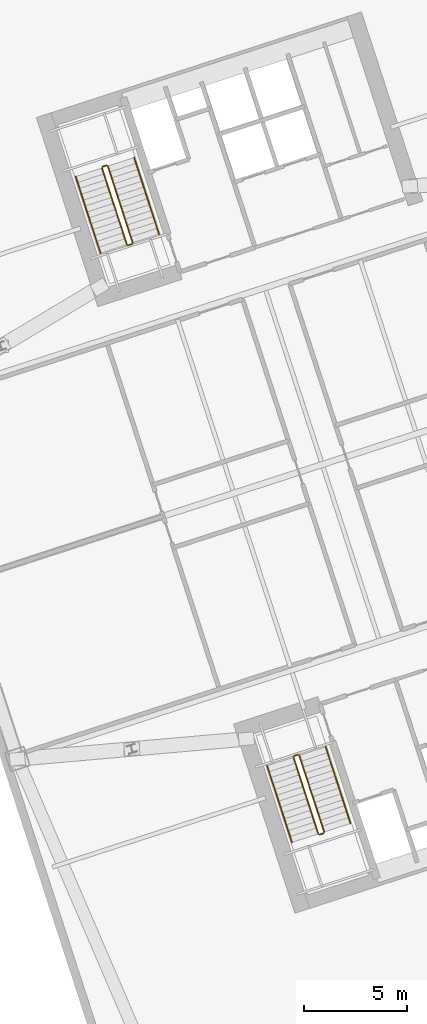
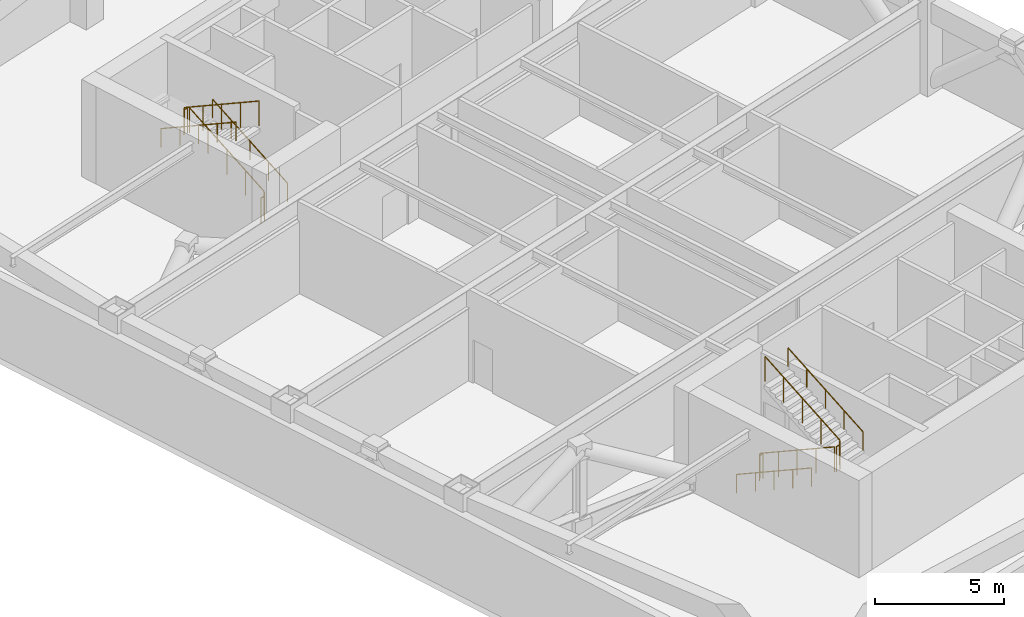
# One storey, part 16 of 16: 12 railings.
"""IFC4 building model written with IfcOpenShell, lengths in metres."""

from ifc_helpers import new_model, si_unit, direction, frame, origin, origin_2d, place, context, subcontext, project, spatial, circle, extrude, material, type_object, element, save


model = new_model("IFC4")

# Units and contexts
model_context = context("Model", 3, precision=1e-05, world=origin(), true_north=direction((0.0, 1.0)))
body_context = subcontext(model_context, "Body", "Model", "MODEL_VIEW")
ifc_project = project(units=[si_unit("LENGTHUNIT", "METRE"), si_unit("AREAUNIT", "SQUARE_METRE"), si_unit("VOLUMEUNIT", "CUBIC_METRE"), si_unit("PLANEANGLEUNIT", "RADIAN"), si_unit("MASSUNIT", "GRAM", prefix="KILO")], contexts=[model_context])

# Site, building, storey
site_placement = place(None, origin())
site = spatial("IfcSite", under=ifc_project, at=site_placement, CompositionType="ELEMENT")
building_placement = place(site_placement, origin())
building = spatial("IfcBuilding", under=site, at=building_placement, Name="Qiaolan Cultural Towers", CompositionType="ELEMENT")
storey_placement = place(building_placement, frame((0.0, 0.0, 46.0)))
storey = spatial("IfcBuildingStorey", under=building, at=storey_placement, Name="L10", CompositionType="ELEMENT", Elevation=46.0)

# Railings
ifc_material_1 = material(Name="Galvanized Painted Steel Stair Guardrail", Category="steel")
railing_type_1 = type_object("IfcRailingType", Name="RL-STAIR-GRD", PredefinedType="GUARDRAIL", material=ifc_material_1)
railing_1_placement = place(storey_placement, frame((88.60205078125, 19.82421875, 0.164306640625)))
element("IfcRailing", 1, at=railing_1_placement, inside=storey, type_object=railing_type_1, Name="L10 ST-E1 stair guard 1", PredefinedType="GUARDRAIL", context=body_context, shape_type="SweptSolid", body=[
    extrude(circle(Radius=0.02392578125, at=origin_2d()), frame((0.0, 0.0, 1.17578125), z_axis=(0.271063841875, -0.834165069801, 0.480305142541), x_axis=(0.951047408346, 0.309045024354, 0.0)), (0.0, 0.0, 1.0), 4.446533203125),
    extrude(circle(Radius=0.02099609375, at=origin_2d()), origin(), (0.0, 0.0, 1.0), 1.15185546875),
    extrude(circle(Radius=0.02099609375, at=origin_2d()), frame((0.30126953125, -0.92724609375, 0.533935546875)), (0.0, 0.0, 1.0), 1.15185546875),
    extrude(circle(Radius=0.02099609375, at=origin_2d()), frame((0.6025390625, -1.8544921875, 1.06787109375)), (0.0, 0.0, 1.0), 1.15185546875),
    extrude(circle(Radius=0.02099609375, at=origin_2d()), frame((0.904052734375, -2.781982421875, 1.601806640625)), (0.0, 0.0, 1.0), 1.15185546875),
    extrude(circle(Radius=0.02099609375, at=origin_2d()), frame((1.205322265625, -3.709228515625, 2.1357421875)), (0.0, 0.0, 1.0), 1.15185546875),
])
railing_2_placement = place(storey_placement, frame((89.870361328125, 16.0830078125, 2.300048828125)))
element("IfcRailing", 2, at=railing_2_placement, inside=storey, type_object=railing_type_1, Name="L10 ST-E1 stair guard 2", PredefinedType="GUARDRAIL", context=body_context, shape_type="SweptSolid", body=[
    extrude(circle(Radius=0.02392578125, at=origin_2d()), frame((0.0, 0.0, 1.17578125), z_axis=(0.951096855055, 0.308892816854, 0.0), x_axis=(-0.308892816854, 0.951096855055, 0.0)), (0.0, 0.0, 1.0), 0.199951171875),
    extrude(circle(Radius=0.02099609375, at=origin_2d()), origin(), (0.0, 0.0, 1.0), 1.15185546875),
    extrude(circle(Radius=0.02099609375, at=origin_2d()), frame((0.190185546875, 0.061767578125, 0.0)), (0.0, 0.0, 1.0), 1.15185546875),
])
railing_3_placement = place(storey_placement, frame((90.092529296875, 16.207763671875, 2.46435546875)))
element("IfcRailing", 3, at=railing_3_placement, inside=storey, type_object=railing_type_1, Name="L10 ST-E1 stair guard 3", PredefinedType="GUARDRAIL", context=body_context, shape_type="SweptSolid", body=[
    extrude(circle(Radius=0.02392578125, at=origin_2d()), frame((0.0, 0.0, 1.17578125), z_axis=(-0.27101297032, 0.834177483402, 0.480312290186), x_axis=(-0.951065805522, -0.308988403611, 0.0)), (0.0, 0.0, 1.0), 4.446533203125),
    extrude(circle(Radius=0.02099609375, at=origin_2d()), origin(), (0.0, 0.0, 1.0), 1.15185546875),
    extrude(circle(Radius=0.02099609375, at=origin_2d()), frame((-0.30126953125, 0.92724609375, 0.533935546875)), (0.0, 0.0, 1.0), 1.15185546875),
    extrude(circle(Radius=0.02099609375, at=origin_2d()), frame((-0.6025390625, 1.8544921875, 1.06787109375)), (0.0, 0.0, 1.0), 1.15185546875),
    extrude(circle(Radius=0.02099609375, at=origin_2d()), frame((-0.90380859375, 2.781982421875, 1.601806640625)), (0.0, 0.0, 1.0), 1.15185546875),
    extrude(circle(Radius=0.02099609375, at=origin_2d()), frame((-1.205078125, 3.709228515625, 2.1357421875)), (0.0, 0.0, 1.0), 1.15185546875),
])
railing_4_placement = place(storey_placement, frame((88.63427734375, 19.88720703125, 0.0)))
element("IfcRailing", 4, at=railing_4_placement, inside=storey, type_object=railing_type_1, Name="L10 ST-E1 stair guard 4", PredefinedType="GUARDRAIL", context=body_context, shape_type="SweptSolid", body=[
    extrude(circle(Radius=0.02392578125, at=origin_2d()), frame((0.0, 0.0, 1.17578125), z_axis=(0.951096855055, 0.308892816854, 0.0), x_axis=(-0.308892816854, 0.951096855055, 0.0)), (0.0, 0.0, 1.0), 0.199951171875),
    extrude(circle(Radius=0.02099609375, at=origin_2d()), origin(), (0.0, 0.0, 1.0), 1.15185546875),
    extrude(circle(Radius=0.02099609375, at=origin_2d()), frame((0.190185546875, 0.061767578125, 0.0)), (0.0, 0.0, 1.0), 1.15185546875),
])
railing_5_placement = place(storey_placement, frame((80.822021484375, 44.739501953125, 0.164306640625)))
element("IfcRailing", 5, at=railing_5_placement, inside=storey, type_object=railing_type_1, Name="L10 ST-E2 stair guard 1", PredefinedType="GUARDRAIL", context=body_context, shape_type="SweptSolid", body=[
    extrude(circle(Radius=0.02392578125, at=origin_2d()), frame((0.0, 0.0, 1.17578125), z_axis=(-0.27101297032, 0.834177483402, 0.480312290186), x_axis=(-0.951065805522, -0.308988403611, 0.0)), (0.0, 0.0, 1.0), 4.446533203125),
    extrude(circle(Radius=0.02099609375, at=origin_2d()), origin(), (0.0, 0.0, 1.0), 1.15185546875),
    extrude(circle(Radius=0.02099609375, at=origin_2d()), frame((-0.30126953125, 0.92724609375, 0.533935546875)), (0.0, 0.0, 1.0), 1.15185546875),
    extrude(circle(Radius=0.02099609375, at=origin_2d()), frame((-0.6025390625, 1.8544921875, 1.06787109375)), (0.0, 0.0, 1.0), 1.15185546875),
    extrude(circle(Radius=0.02099609375, at=origin_2d()), frame((-0.90380859375, 2.781982421875, 1.601806640625)), (0.0, 0.0, 1.0), 1.15185546875),
    extrude(circle(Radius=0.02099609375, at=origin_2d()), frame((-1.205078125, 3.709228515625, 2.1357421875)), (0.0, 0.0, 1.0), 1.15185546875),
])
railing_6_placement = place(storey_placement, frame((79.553955078125, 48.480712890625, 2.300048828125)))
element("IfcRailing", 6, at=railing_6_placement, inside=storey, type_object=railing_type_1, Name="L10 ST-E2 stair guard 2", PredefinedType="GUARDRAIL", context=body_context, shape_type="SweptSolid", body=[
    extrude(circle(Radius=0.02392578125, at=origin_2d()), frame((0.0, 0.0, 1.17578125), z_axis=(-0.951096855055, -0.308892816854, 0.0), x_axis=(0.308892816854, -0.951096855055, 0.0)), (0.0, 0.0, 1.0), 0.199951171875),
    extrude(circle(Radius=0.02099609375, at=origin_2d()), origin(), (0.0, 0.0, 1.0), 1.15185546875),
    extrude(circle(Radius=0.02099609375, at=origin_2d()), frame((-0.190185546875, -0.061767578125, 0.0)), (0.0, 0.0, 1.0), 1.15185546875),
])
railing_7_placement = place(storey_placement, frame((79.33154296875, 48.35595703125, 2.46435546875)))
element("IfcRailing", 7, at=railing_7_placement, inside=storey, type_object=railing_type_1, Name="L10 ST-E2 stair guard 3", PredefinedType="GUARDRAIL", context=body_context, shape_type="SweptSolid", body=[
    extrude(circle(Radius=0.02392578125, at=origin_2d()), frame((0.0, 0.0, 1.17578125), z_axis=(0.271063841875, -0.834165069801, 0.480305142541), x_axis=(0.951047408346, 0.309045024354, 0.0)), (0.0, 0.0, 1.0), 4.446533203125),
    extrude(circle(Radius=0.02099609375, at=origin_2d()), origin(), (0.0, 0.0, 1.0), 1.15185546875),
    extrude(circle(Radius=0.02099609375, at=origin_2d()), frame((0.30126953125, -0.92724609375, 0.533935546875)), (0.0, 0.0, 1.0), 1.15185546875),
    extrude(circle(Radius=0.02099609375, at=origin_2d()), frame((0.6025390625, -1.8544921875, 1.06787109375)), (0.0, 0.0, 1.0), 1.15185546875),
    extrude(circle(Radius=0.02099609375, at=origin_2d()), frame((0.904052734375, -2.781982421875, 1.601806640625)), (0.0, 0.0, 1.0), 1.15185546875),
    extrude(circle(Radius=0.02099609375, at=origin_2d()), frame((1.205322265625, -3.709228515625, 2.1357421875)), (0.0, 0.0, 1.0), 1.15185546875),
])
railing_8_placement = place(storey_placement, frame((80.7900390625, 44.676513671875, 0.0)))
element("IfcRailing", 8, at=railing_8_placement, inside=storey, type_object=railing_type_1, Name="L10 ST-E2 stair guard 4", PredefinedType="GUARDRAIL", context=body_context, shape_type="SweptSolid", body=[
    extrude(circle(Radius=0.02392578125, at=origin_2d()), frame((0.0, 0.0, 1.17578125), z_axis=(-0.951096855055, -0.308892816854, 0.0), x_axis=(0.308892816854, -0.951096855055, 0.0)), (0.0, 0.0, 1.0), 0.199951171875),
    extrude(circle(Radius=0.02099609375, at=origin_2d()), origin(), (0.0, 0.0, 1.0), 1.15185546875),
    extrude(circle(Radius=0.02099609375, at=origin_2d()), frame((-0.190185546875, -0.061767578125, 0.0)), (0.0, 0.0, 1.0), 1.15185546875),
])
ifc_material_2 = material(Name="Stainless Steel S30408 Tubular Handrail", Category="steel")
railing_type_2 = type_object("IfcRailingType", Name="RL-STAIR-HR", PredefinedType="HANDRAIL", material=ifc_material_2)
railing_9_placement = place(storey_placement, frame((87.32763671875, 19.41015625, 0.164306640625)))
element("IfcRailing", 9, at=railing_9_placement, inside=storey, type_object=railing_type_2, Name="L10 ST-E1 stair handrail 1", PredefinedType="HANDRAIL", context=body_context, shape_type="SweptSolid", body=[
    extrude(circle(Radius=0.02392578125, at=origin_2d()), frame((0.0, 0.0, 0.8759765625), z_axis=(0.271063841875, -0.834165069801, 0.480305142541), x_axis=(0.951047408346, 0.309045024354, 0.0)), (0.0, 0.0, 1.0), 4.446533203125),
    extrude(circle(Radius=0.02099609375, at=origin_2d()), origin(), (0.0, 0.0, 1.0), 0.851806640625),
    extrude(circle(Radius=0.02099609375, at=origin_2d()), frame((0.30126953125, -0.92724609375, 0.533935546875)), (0.0, 0.0, 1.0), 0.851806640625),
    extrude(circle(Radius=0.02099609375, at=origin_2d()), frame((0.6025390625, -1.8544921875, 1.06787109375)), (0.0, 0.0, 1.0), 0.851806640625),
    extrude(circle(Radius=0.02099609375, at=origin_2d()), frame((0.904052734375, -2.781982421875, 1.601806640625)), (0.0, 0.0, 1.0), 0.851806640625),
    extrude(circle(Radius=0.02099609375, at=origin_2d()), frame((1.205322265625, -3.709228515625, 2.1357421875)), (0.0, 0.0, 1.0), 0.851806640625),
])
for number, where, name in (
    (10, (91.366943359375, 16.621826171875, 2.46435546875), "L10 ST-E1 stair handrail 2"),
    (11, (82.096435546875, 45.153564453125, 0.164306640625), "L10 ST-E2 stair handrail 1"),
):
    element("IfcRailing", number, at=place(storey_placement, frame(where)), inside=storey, type_object=railing_type_2, Name=name, PredefinedType="HANDRAIL", context=body_context, shape_type="SweptSolid", body=[
        extrude(circle(Radius=0.02392578125, at=origin_2d()), frame((0.0, 0.0, 0.8759765625), z_axis=(-0.27101297032, 0.834177483402, 0.480312290186), x_axis=(-0.951065805522, -0.308988403611, 0.0)), (0.0, 0.0, 1.0), 4.446533203125),
        extrude(circle(Radius=0.02099609375, at=origin_2d()), origin(), (0.0, 0.0, 1.0), 0.851806640625),
        extrude(circle(Radius=0.02099609375, at=origin_2d()), frame((-0.30126953125, 0.92724609375, 0.533935546875)), (0.0, 0.0, 1.0), 0.851806640625),
        extrude(circle(Radius=0.02099609375, at=origin_2d()), frame((-0.6025390625, 1.8544921875, 1.06787109375)), (0.0, 0.0, 1.0), 0.851806640625),
        extrude(circle(Radius=0.02099609375, at=origin_2d()), frame((-0.90380859375, 2.781982421875, 1.601806640625)), (0.0, 0.0, 1.0), 0.851806640625),
        extrude(circle(Radius=0.02099609375, at=origin_2d()), frame((-1.205078125, 3.709228515625, 2.1357421875)), (0.0, 0.0, 1.0), 0.851806640625),
    ])
railing_10_placement = place(storey_placement, frame((78.05712890625, 47.94189453125, 2.46435546875)))
element("IfcRailing", 12, at=railing_10_placement, inside=storey, type_object=railing_type_2, Name="L10 ST-E2 stair handrail 2", PredefinedType="HANDRAIL", context=body_context, shape_type="SweptSolid", body=[
    extrude(circle(Radius=0.02392578125, at=origin_2d()), frame((0.0, 0.0, 0.8759765625), z_axis=(0.271063841875, -0.834165069801, 0.480305142541), x_axis=(0.951047408346, 0.309045024354, 0.0)), (0.0, 0.0, 1.0), 4.446533203125),
    extrude(circle(Radius=0.02099609375, at=origin_2d()), origin(), (0.0, 0.0, 1.0), 0.851806640625),
    extrude(circle(Radius=0.02099609375, at=origin_2d()), frame((0.30126953125, -0.92724609375, 0.533935546875)), (0.0, 0.0, 1.0), 0.851806640625),
    extrude(circle(Radius=0.02099609375, at=origin_2d()), frame((0.6025390625, -1.8544921875, 1.06787109375)), (0.0, 0.0, 1.0), 0.851806640625),
    extrude(circle(Radius=0.02099609375, at=origin_2d()), frame((0.904052734375, -2.781982421875, 1.601806640625)), (0.0, 0.0, 1.0), 0.851806640625),
    extrude(circle(Radius=0.02099609375, at=origin_2d()), frame((1.205322265625, -3.709228515625, 2.1357421875)), (0.0, 0.0, 1.0), 0.851806640625),
])

save(model, "model.ifc")
